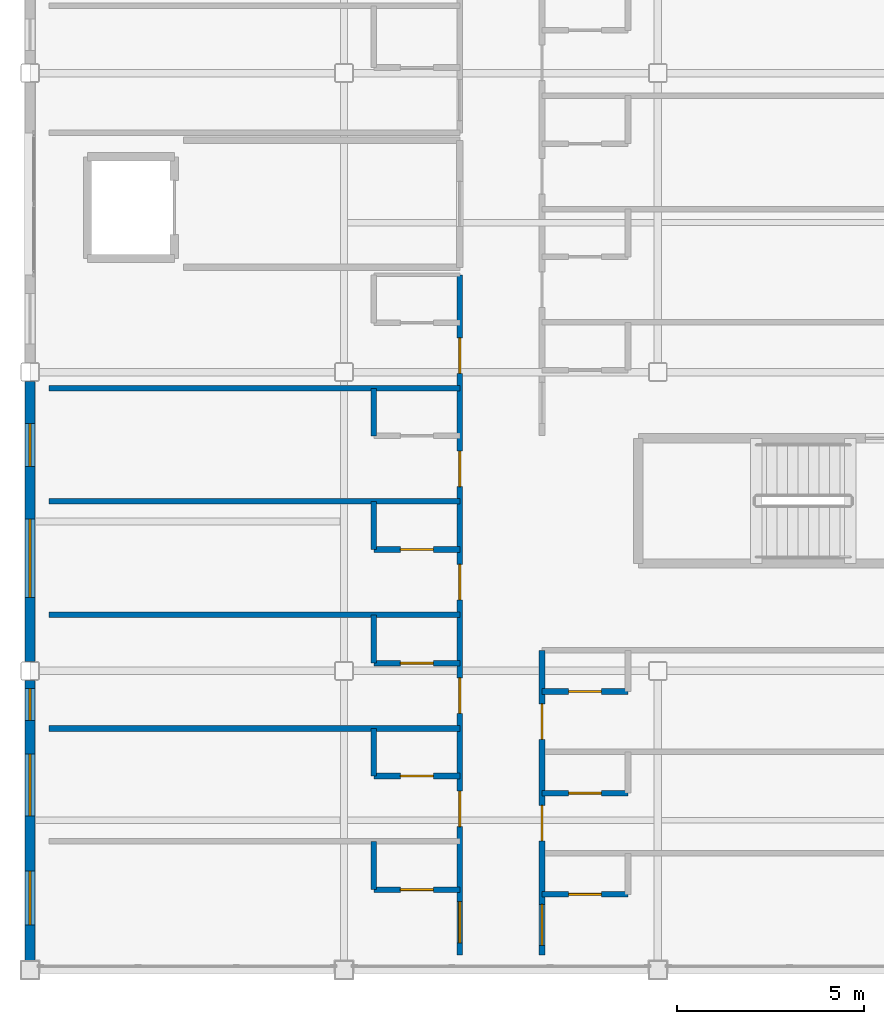
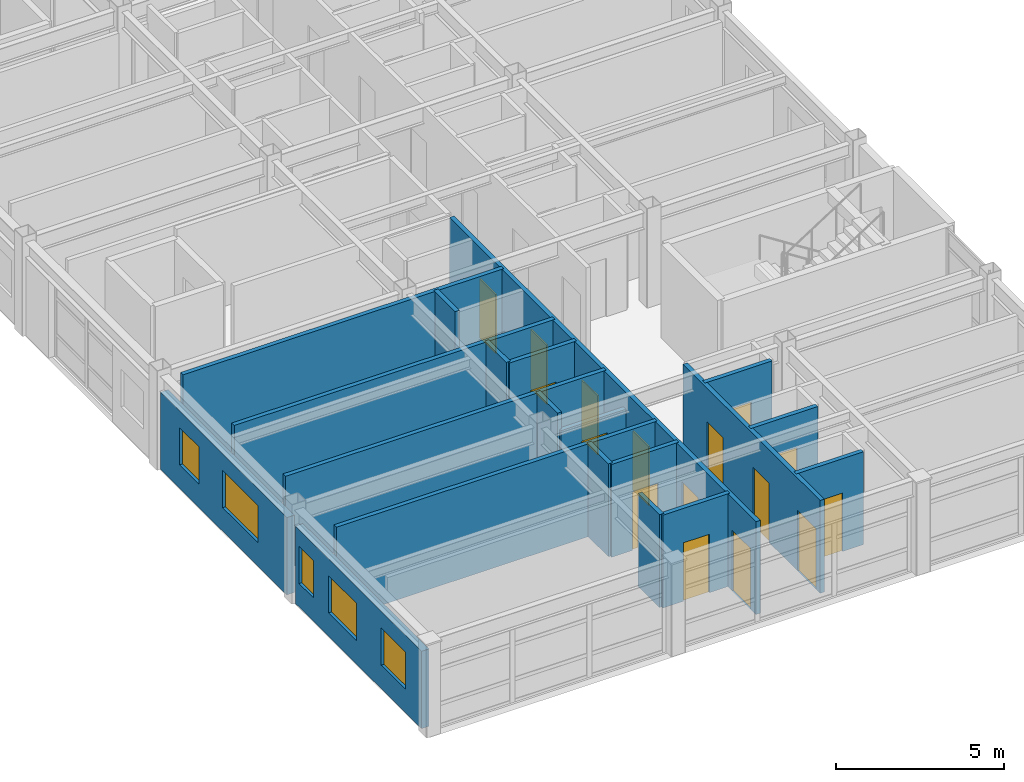
# One storey, part 23 of 33: 20 walls, 16 doors, 5 windows, 21 openings.
"""IFC4 building model written with IfcOpenShell, lengths in metres."""

from ifc_helpers import new_model, si_unit, direction, frame, frame_2d, origin, place, context, subcontext, project, spatial, rectangle, extrude, material, layer, layer_set, type_object, element, fill, save


model = new_model("IFC4")

# Units and contexts
model_context = context("Model", 3, precision=1e-05, world=origin(), true_north=direction((0.0, 1.0)))
body_context = subcontext(model_context, "Body", "Model", "MODEL_VIEW")
ifc_project = project(units=[si_unit("LENGTHUNIT", "METRE"), si_unit("AREAUNIT", "SQUARE_METRE"), si_unit("VOLUMEUNIT", "CUBIC_METRE"), si_unit("PLANEANGLEUNIT", "RADIAN"), si_unit("MASSUNIT", "GRAM", prefix="KILO")], contexts=[model_context])

# Site, building, storey
site_placement = place(None, origin())
site = spatial("IfcSite", under=ifc_project, at=site_placement, CompositionType="ELEMENT")
building_placement = place(site_placement, origin())
building = spatial("IfcBuilding", under=site, at=building_placement, Name="Kazehara Bluff Congress Hotel", CompositionType="ELEMENT")
storey_placement = place(building_placement, frame((0.0, 0.0, 39.0)))
storey = spatial("IfcBuildingStorey", under=building, at=storey_placement, Name="L09", CompositionType="ELEMENT", Elevation=39.0)

# Wall, openings, windows
ifc_material_1 = material(Name="Precast concrete C40/50", Category="concrete")
ifc_layer_1 = layer(ifc_material_1, 0.260009765625)
ifc_layer_set_1 = layer_set([ifc_layer_1], Name="Precast concrete C40/50")
wall_type_1 = type_object("IfcWallType", Name="TP-EW-260", PredefinedType="SOLIDWALL", material=ifc_layer_set_1)
wall_1_placement = place(storey_placement, frame((143.699951171875, 8.25, 0.0), z_axis=(0.0, 0.0, 1.0), x_axis=(0.0, 1.0, 0.0)))
wall_1 = element("IfcWall", 1, at=wall_1_placement, inside=storey, type_object=wall_type_1, Name="L09 hotel facade panel 140", PredefinedType="SOLIDWALL", context=body_context, shape_type="SweptSolid", body=[
    extrude(rectangle(XDim=7.5, YDim=0.260009765625, at=frame_2d((3.75, 0.0))), origin(), (0.0, 0.0, 1.0), 2.804931640625),
])
opening_1_placement = place(wall_1_placement, frame((0.945068359375, 0.0, 0.85009765625)))
opening_1 = element("IfcOpeningElement", 2, at=opening_1_placement, cuts=wall_1, Name="Opening WN-16", PredefinedType="OPENING", context=body_context, shape_type="SweptSolid", body=[
    extrude(rectangle(XDim=1.449951171875, YDim=1.35009765625, at=frame_2d((0.72509765625, 0.675048828125))), frame((0.0, 0.139892578125, 0.0), z_axis=(0.0, -1.0, 0.0), x_axis=(1.0, 0.0, 0.0)), (0.0, 0.0, 1.0), 0.280029296875),
])
opening_2_placement = place(wall_1_placement, frame((3.875, 0.0, 0.85009765625)))
opening_2 = element("IfcOpeningElement", 3, at=opening_2_placement, cuts=wall_1, Name="Opening WN-26", PredefinedType="OPENING", context=body_context, shape_type="SweptSolid", body=[
    extrude(rectangle(XDim=1.64990234375, YDim=1.35009765625, at=frame_2d((0.824951171875, 0.675048828125))), frame((0.0, 0.139892578125, 0.0), z_axis=(0.0, -1.0, 0.0), x_axis=(1.0, 0.0, 0.0)), (0.0, 0.0, 1.0), 0.280029296875),
])
opening_3_placement = place(wall_1_placement, frame((6.429931640625, 0.0, 0.85009765625)))
opening_3 = element("IfcOpeningElement", 4, at=opening_3_placement, cuts=wall_1, Name="Opening WN-55", PredefinedType="OPENING", context=body_context, shape_type="SweptSolid", body=[
    extrude(rectangle(XDim=0.85009765625, YDim=1.35009765625, at=frame_2d((0.425048828125, 0.675048828125))), frame((0.0, 0.139892578125, 0.0), z_axis=(0.0, -1.0, 0.0), x_axis=(1.0, 0.0, 0.0)), (0.0, 0.0, 1.0), 0.280029296875),
])
ifc_material_2 = material(Name="Insulated low-E double glazing", Category="glass")
window_type_1 = type_object("IfcWindowType", Name="TP-WN-16", PartitioningType="SINGLE_PANEL", PredefinedType="WINDOW", material=ifc_material_2)
window_1_placement = place(opening_1_placement, origin())
window_1 = element("IfcWindow", 5, at=window_1_placement, inside=storey, type_object=window_type_1, Name="L09 guestroom window WN-16 274", OverallHeight=1.35009765625, OverallWidth=1.449951171875, PartitioningType="SINGLE_PANEL", PredefinedType="WINDOW", context=body_context, shape_type="SweptSolid", body=[
    extrude(rectangle(XDim=1.449951171875, YDim=1.35009765625, at=frame_2d((0.72509765625, 0.675048828125))), frame((0.0, 0.030029296875, 0.0), z_axis=(0.0, -1.0, 0.0), x_axis=(1.0, 0.0, 0.0)), (0.0, 0.0, 1.0), 0.06005859375),
])
fill(opening_1, window_1)
ifc_material_3 = material(Name="Insulated low-E double glazing", Category="glass")
window_type_2 = type_object("IfcWindowType", Name="TP-WN-26", PartitioningType="SINGLE_PANEL", PredefinedType="WINDOW", material=ifc_material_3)
window_2_placement = place(opening_2_placement, origin())
window_2 = element("IfcWindow", 6, at=window_2_placement, inside=storey, type_object=window_type_2, Name="L09 guestroom window WN-26 275", OverallHeight=1.35009765625, OverallWidth=1.64990234375, PartitioningType="SINGLE_PANEL", PredefinedType="WINDOW", context=body_context, shape_type="SweptSolid", body=[
    extrude(rectangle(XDim=1.64990234375, YDim=1.35009765625, at=frame_2d((0.824951171875, 0.675048828125))), frame((0.0, 0.030029296875, 0.0), z_axis=(0.0, -1.0, 0.0), x_axis=(1.0, 0.0, 0.0)), (0.0, 0.0, 1.0), 0.06005859375),
])
fill(opening_2, window_2)
ifc_material_4 = material(Name="Insulated low-E double glazing", Category="glass")
window_type_3 = type_object("IfcWindowType", Name="TP-WN-55", PartitioningType="SINGLE_PANEL", PredefinedType="WINDOW", material=ifc_material_4)
window_3_placement = place(opening_3_placement, origin())
window_3 = element("IfcWindow", 7, at=window_3_placement, inside=storey, type_object=window_type_3, Name="L09 guestroom window WN-55 276", OverallHeight=1.35009765625, OverallWidth=0.85009765625, PartitioningType="SINGLE_PANEL", PredefinedType="WINDOW", context=body_context, shape_type="SweptSolid", body=[
    extrude(rectangle(XDim=0.85009765625, YDim=1.35009765625, at=frame_2d((0.425048828125, 0.675048828125))), frame((0.0, 0.030029296875, 0.0), z_axis=(0.0, -1.0, 0.0), x_axis=(1.0, 0.0, 0.0)), (0.0, 0.0, 1.0), 0.06005859375),
])
fill(opening_3, window_3)

wall_2_placement = place(storey_placement, frame((143.699951171875, 16.25, 0.0), z_axis=(0.0, 0.0, 1.0), x_axis=(0.0, 1.0, 0.0)))
wall_2 = element("IfcWall", 8, at=wall_2_placement, inside=storey, type_object=wall_type_1, Name="L09 hotel facade panel 141", PredefinedType="SOLIDWALL", context=body_context, shape_type="SweptSolid", body=[
    extrude(rectangle(XDim=7.5, YDim=0.260009765625, at=frame_2d((3.75, 0.0))), origin(), (0.0, 0.0, 1.0), 2.804931640625),
])
opening_4_placement = place(wall_2_placement, frame((1.715087890625, 0.0, 0.85009765625)))
opening_4 = element("IfcOpeningElement", 9, at=opening_4_placement, cuts=wall_2, Name="Opening WN-46", PredefinedType="OPENING", context=body_context, shape_type="SweptSolid", body=[
    extrude(rectangle(XDim=2.10009765625, YDim=1.35009765625, at=frame_2d((1.050048828125, 0.675048828125))), frame((0.0, 0.139892578125, 0.0), z_axis=(0.0, -1.0, 0.0), x_axis=(1.0, 0.0, 0.0)), (0.0, 0.0, 1.0), 0.280029296875),
])
opening_5_placement = place(wall_2_placement, frame((5.22509765625, 0.0, 0.85009765625)))
opening_5 = element("IfcOpeningElement", 10, at=opening_5_placement, cuts=wall_2, Name="Opening WN-01", PredefinedType="OPENING", context=body_context, shape_type="SweptSolid", body=[
    extrude(rectangle(XDim=1.14990234375, YDim=1.35009765625, at=frame_2d((0.574951171875, 0.675048828125))), frame((0.0, 0.139892578125, 0.0), z_axis=(0.0, -1.0, 0.0), x_axis=(1.0, 0.0, 0.0)), (0.0, 0.0, 1.0), 0.280029296875),
])
ifc_material_5 = material(Name="Insulated low-E double glazing", Category="glass")
window_type_4 = type_object("IfcWindowType", Name="TP-WN-01", PartitioningType="SINGLE_PANEL", PredefinedType="WINDOW", material=ifc_material_5)
window_4_placement = place(opening_5_placement, origin())
window_4 = element("IfcWindow", 11, at=window_4_placement, inside=storey, type_object=window_type_4, Name="L09 guestroom window WN-01 278", OverallHeight=1.35009765625, OverallWidth=1.14990234375, PartitioningType="SINGLE_PANEL", PredefinedType="WINDOW", context=body_context, shape_type="SweptSolid", body=[
    extrude(rectangle(XDim=1.14990234375, YDim=1.35009765625, at=frame_2d((0.574951171875, 0.675048828125))), frame((0.0, 0.030029296875, 0.0), z_axis=(0.0, -1.0, 0.0), x_axis=(1.0, 0.0, 0.0)), (0.0, 0.0, 1.0), 0.06005859375),
])
fill(opening_5, window_4)
ifc_material_6 = material(Name="Insulated low-E double glazing", Category="glass")
window_type_5 = type_object("IfcWindowType", Name="TP-WN-46", PartitioningType="DOUBLE_PANEL_VERTICAL", PredefinedType="WINDOW", material=ifc_material_6)
window_5_placement = place(opening_4_placement, origin())
window_5 = element("IfcWindow", 12, at=window_5_placement, inside=storey, type_object=window_type_5, Name="L09 guestroom window WN-46 277", OverallHeight=1.35009765625, OverallWidth=2.10009765625, PartitioningType="SINGLE_PANEL", PredefinedType="WINDOW", context=body_context, shape_type="SweptSolid", body=[
    extrude(rectangle(XDim=2.10009765625, YDim=1.35009765625, at=frame_2d((1.050048828125, 0.675048828125))), frame((0.0, 0.030029296875, 0.0), z_axis=(0.0, -1.0, 0.0), x_axis=(1.0, 0.0, 0.0)), (0.0, 0.0, 1.0), 0.06005859375),
])
fill(opening_4, window_5)

# Wall, opening, door
ifc_material_7 = material(Name="Fire-rated gypsum board stud partition")
ifc_layer_2 = layer(ifc_material_7, 0.14990234375)
ifc_layer_set_2 = layer_set([ifc_layer_2], Name="Fire-rated gypsum board stud partition")
wall_type_2 = type_object("IfcWallType", Name="TP-PT-150", PredefinedType="PARTITIONING", material=ifc_layer_set_2)
wall_3_placement = place(storey_placement, frame((157.39990234375, 10.02001953125, 0.0), z_axis=(0.0, 0.0, 1.0), x_axis=(1.0, 0.0, 0.0)))
wall_3 = element("IfcWall", 13, at=wall_3_placement, inside=storey, type_object=wall_type_2, Name="L09 partition PT-150 1166", PredefinedType="PARTITIONING", context=body_context, shape_type="SweptSolid", body=[
    extrude(rectangle(XDim=2.300048828125, YDim=0.14990234375, at=frame_2d((1.14990234375, 0.0))), origin(), (0.0, 0.0, 1.0), 3.364990234375),
])
opening_6_placement = place(wall_3_placement, frame((0.7099609375, 0.0, 0.0)))
opening_6 = element("IfcOpeningElement", 14, at=opening_6_placement, cuts=wall_3, Name="Opening BD-02", PredefinedType="OPENING", context=body_context, shape_type="SweptSolid", body=[
    extrude(rectangle(XDim=0.8798828125, YDim=2.1201171875, at=frame_2d((0.43994140625, 1.06005859375))), frame((0.0, 0.0849609375, 0.0), z_axis=(0.0, -1.0, 0.0), x_axis=(1.0, 0.0, 0.0)), (0.0, 0.0, 1.0), 0.169921875),
])
ifc_material_8 = material(Name="Architectural oak veneer leaf")
door_type_1 = type_object("IfcDoorType", Name="TP-BD-02", OperationType="NOTDEFINED", PredefinedType="DOOR", material=ifc_material_8)
door_1_placement = place(opening_6_placement, origin())
door_1 = element("IfcDoor", 15, at=door_1_placement, inside=storey, type_object=door_type_1, Name="L09 En-suite Bathroom 274 door", OperationType="SINGLE_SWING_RIGHT", OverallHeight=2.1201171875, OverallWidth=0.8798828125, PredefinedType="DOOR", context=body_context, shape_type="SweptSolid", body=[
    extrude(rectangle(XDim=0.8798828125, YDim=2.1201171875, at=frame_2d((0.43994140625, 1.06005859375))), frame((0.0, 0.02490234375, 0.0), z_axis=(0.0, -1.0, 0.0), x_axis=(1.0, 0.0, 0.0)), (0.0, 0.0, 1.0), 0.050048828125),
])
fill(opening_6, door_1)

wall_4_placement = place(storey_placement, frame((152.89990234375, 10.14990234375, 0.0), z_axis=(0.0, 0.0, 1.0), x_axis=(1.0, 0.0, 0.0)))
wall_4 = element("IfcWall", 16, at=wall_4_placement, inside=storey, type_object=wall_type_2, Name="L09 partition PT-150 1167", PredefinedType="PARTITIONING", context=body_context, shape_type="SweptSolid", body=[
    extrude(rectangle(XDim=2.300048828125, YDim=0.14990234375, at=frame_2d((1.14990234375, 0.0))), origin(), (0.0, 0.0, 1.0), 3.364990234375),
])
opening_7_placement = place(wall_4_placement, frame((0.7099609375, 0.0, 0.0)))
opening_7 = element("IfcOpeningElement", 17, at=opening_7_placement, cuts=wall_4, Name="Opening BD-02", PredefinedType="OPENING", context=body_context, shape_type="SweptSolid", body=[
    extrude(rectangle(XDim=0.8798828125, YDim=2.1201171875, at=frame_2d((0.43994140625, 1.06005859375))), frame((0.0, 0.0849609375, 0.0), z_axis=(0.0, -1.0, 0.0), x_axis=(1.0, 0.0, 0.0)), (0.0, 0.0, 1.0), 0.169921875),
])
door_2_placement = place(opening_7_placement, origin())
door_2 = element("IfcDoor", 18, at=door_2_placement, inside=storey, type_object=door_type_1, Name="L09 En-suite Bathroom 253 door", OperationType="SINGLE_SWING_RIGHT", OverallHeight=2.1201171875, OverallWidth=0.8798828125, PredefinedType="DOOR", context=body_context, shape_type="SweptSolid", body=[
    extrude(rectangle(XDim=0.8798828125, YDim=2.1201171875, at=frame_2d((0.43994140625, 1.06005859375))), frame((0.0, 0.02490234375, 0.0), z_axis=(0.0, -1.0, 0.0), x_axis=(1.0, 0.0, 0.0)), (0.0, 0.0, 1.0), 0.050048828125),
])
fill(opening_7, door_2)

wall_5_placement = place(storey_placement, frame((157.39990234375, 12.72998046875, 0.0), z_axis=(0.0, 0.0, 1.0), x_axis=(1.0, 0.0, 0.0)))
wall_5 = element("IfcWall", 19, at=wall_5_placement, inside=storey, type_object=wall_type_2, Name="L09 partition PT-150 1170", PredefinedType="PARTITIONING", context=body_context, shape_type="SweptSolid", body=[
    extrude(rectangle(XDim=2.300048828125, YDim=0.14990234375, at=frame_2d((1.14990234375, 0.0))), origin(), (0.0, 0.0, 1.0), 3.364990234375),
])
opening_8_placement = place(wall_5_placement, frame((0.7099609375, 0.0, 0.0)))
opening_8 = element("IfcOpeningElement", 20, at=opening_8_placement, cuts=wall_5, Name="Opening BD-02", PredefinedType="OPENING", context=body_context, shape_type="SweptSolid", body=[
    extrude(rectangle(XDim=0.8798828125, YDim=2.1201171875, at=frame_2d((0.43994140625, 1.06005859375))), frame((0.0, 0.0849609375, 0.0), z_axis=(0.0, -1.0, 0.0), x_axis=(1.0, 0.0, 0.0)), (0.0, 0.0, 1.0), 0.169921875),
])
door_3_placement = place(opening_8_placement, origin())
door_3 = element("IfcDoor", 21, at=door_3_placement, inside=storey, type_object=door_type_1, Name="L09 En-suite Bathroom 275 door", OperationType="SINGLE_SWING_RIGHT", OverallHeight=2.1201171875, OverallWidth=0.8798828125, PredefinedType="DOOR", context=body_context, shape_type="SweptSolid", body=[
    extrude(rectangle(XDim=0.8798828125, YDim=2.1201171875, at=frame_2d((0.43994140625, 1.06005859375))), frame((0.0, 0.02490234375, 0.0), z_axis=(0.0, -1.0, 0.0), x_axis=(1.0, 0.0, 0.0)), (0.0, 0.0, 1.0), 0.050048828125),
])
fill(opening_8, door_3)

wall_6_placement = place(storey_placement, frame((152.89990234375, 13.18994140625, 0.0), z_axis=(0.0, 0.0, 1.0), x_axis=(1.0, 0.0, 0.0)))
wall_6 = element("IfcWall", 22, at=wall_6_placement, inside=storey, type_object=wall_type_2, Name="L09 partition PT-150 1171", PredefinedType="PARTITIONING", context=body_context, shape_type="SweptSolid", body=[
    extrude(rectangle(XDim=2.300048828125, YDim=0.14990234375, at=frame_2d((1.14990234375, 0.0))), origin(), (0.0, 0.0, 1.0), 3.364990234375),
])
opening_9_placement = place(wall_6_placement, frame((0.7099609375, 0.0, 0.0)))
opening_9 = element("IfcOpeningElement", 23, at=opening_9_placement, cuts=wall_6, Name="Opening BD-02", PredefinedType="OPENING", context=body_context, shape_type="SweptSolid", body=[
    extrude(rectangle(XDim=0.8798828125, YDim=2.1201171875, at=frame_2d((0.43994140625, 1.06005859375))), frame((0.0, 0.0849609375, 0.0), z_axis=(0.0, -1.0, 0.0), x_axis=(1.0, 0.0, 0.0)), (0.0, 0.0, 1.0), 0.169921875),
])
door_4_placement = place(opening_9_placement, origin())
door_4 = element("IfcDoor", 24, at=door_4_placement, inside=storey, type_object=door_type_1, Name="L09 En-suite Bathroom 254 door", OperationType="SINGLE_SWING_RIGHT", OverallHeight=2.1201171875, OverallWidth=0.8798828125, PredefinedType="DOOR", context=body_context, shape_type="SweptSolid", body=[
    extrude(rectangle(XDim=0.8798828125, YDim=2.1201171875, at=frame_2d((0.43994140625, 1.06005859375))), frame((0.0, 0.02490234375, 0.0), z_axis=(0.0, -1.0, 0.0), x_axis=(1.0, 0.0, 0.0)), (0.0, 0.0, 1.0), 0.050048828125),
])
fill(opening_9, door_4)

# Wall
wall_7_placement = place(storey_placement, frame((144.199951171875, 14.4599609375, 0.0), z_axis=(0.0, 0.0, 1.0), x_axis=(1.0, 0.0, 0.0)))
element("IfcWall", 25, at=wall_7_placement, inside=storey, type_object=wall_type_2, Name="L09 partition PT-150 1173", PredefinedType="PARTITIONING", context=body_context, shape_type="SweptSolid", body=[
    extrude(rectangle(XDim=11.0, YDim=0.14990234375, at=frame_2d((5.5, 0.0))), origin(), (0.0, 0.0, 1.0), 3.364990234375),
])

# Wall, opening, door
wall_8_placement = place(storey_placement, frame((157.39990234375, 15.449951171875, 0.0), z_axis=(0.0, 0.0, 1.0), x_axis=(1.0, 0.0, 0.0)))
wall_8 = element("IfcWall", 26, at=wall_8_placement, inside=storey, type_object=wall_type_2, Name="L09 partition PT-150 1174", PredefinedType="PARTITIONING", context=body_context, shape_type="SweptSolid", body=[
    extrude(rectangle(XDim=2.300048828125, YDim=0.14990234375, at=frame_2d((1.14990234375, 0.0))), origin(), (0.0, 0.0, 1.0), 3.364990234375),
])
opening_10_placement = place(wall_8_placement, frame((0.7099609375, 0.0, 0.0)))
opening_10 = element("IfcOpeningElement", 27, at=opening_10_placement, cuts=wall_8, Name="Opening BD-02", PredefinedType="OPENING", context=body_context, shape_type="SweptSolid", body=[
    extrude(rectangle(XDim=0.8798828125, YDim=2.1201171875, at=frame_2d((0.43994140625, 1.06005859375))), frame((0.0, 0.0849609375, 0.0), z_axis=(0.0, -1.0, 0.0), x_axis=(1.0, 0.0, 0.0)), (0.0, 0.0, 1.0), 0.169921875),
])
door_5_placement = place(opening_10_placement, origin())
door_5 = element("IfcDoor", 28, at=door_5_placement, inside=storey, type_object=door_type_1, Name="L09 En-suite Bathroom 276 door", OperationType="SINGLE_SWING_RIGHT", OverallHeight=2.1201171875, OverallWidth=0.8798828125, PredefinedType="DOOR", context=body_context, shape_type="SweptSolid", body=[
    extrude(rectangle(XDim=0.8798828125, YDim=2.1201171875, at=frame_2d((0.43994140625, 1.06005859375))), frame((0.0, 0.02490234375, 0.0), z_axis=(0.0, -1.0, 0.0), x_axis=(1.0, 0.0, 0.0)), (0.0, 0.0, 1.0), 0.050048828125),
])
fill(opening_10, door_5)

wall_9_placement = place(storey_placement, frame((152.89990234375, 16.2099609375, 0.0), z_axis=(0.0, 0.0, 1.0), x_axis=(1.0, 0.0, 0.0)))
wall_9 = element("IfcWall", 29, at=wall_9_placement, inside=storey, type_object=wall_type_2, Name="L09 partition PT-150 1175", PredefinedType="PARTITIONING", context=body_context, shape_type="SweptSolid", body=[
    extrude(rectangle(XDim=2.300048828125, YDim=0.14990234375, at=frame_2d((1.14990234375, 0.0))), origin(), (0.0, 0.0, 1.0), 2.7548828125),
])
opening_11_placement = place(wall_9_placement, frame((0.7099609375, 0.0, 0.0)))
opening_11 = element("IfcOpeningElement", 30, at=opening_11_placement, cuts=wall_9, Name="Opening BD-02", PredefinedType="OPENING", context=body_context, shape_type="SweptSolid", body=[
    extrude(rectangle(XDim=0.8798828125, YDim=2.1201171875, at=frame_2d((0.43994140625, 1.06005859375))), frame((0.0, 0.0849609375, 0.0), z_axis=(0.0, -1.0, 0.0), x_axis=(1.0, 0.0, 0.0)), (0.0, 0.0, 1.0), 0.169921875),
])
door_6_placement = place(opening_11_placement, origin())
door_6 = element("IfcDoor", 31, at=door_6_placement, inside=storey, type_object=door_type_1, Name="L09 En-suite Bathroom 255 door", OperationType="SINGLE_SWING_RIGHT", OverallHeight=2.1201171875, OverallWidth=0.8798828125, PredefinedType="DOOR", context=body_context, shape_type="SweptSolid", body=[
    extrude(rectangle(XDim=0.8798828125, YDim=2.1201171875, at=frame_2d((0.43994140625, 1.06005859375))), frame((0.0, 0.02490234375, 0.0), z_axis=(0.0, -1.0, 0.0), x_axis=(1.0, 0.0, 0.0)), (0.0, 0.0, 1.0), 0.050048828125),
])
fill(opening_11, door_6)

# Wall
wall_10_placement = place(storey_placement, frame((144.199951171875, 17.5, 0.0), z_axis=(0.0, 0.0, 1.0), x_axis=(1.0, 0.0, 0.0)))
element("IfcWall", 32, at=wall_10_placement, inside=storey, type_object=wall_type_2, Name="L09 partition PT-150 1177", PredefinedType="PARTITIONING", context=body_context, shape_type="SweptSolid", body=[
    extrude(rectangle(XDim=11.0, YDim=0.14990234375, at=frame_2d((5.5, 0.0))), origin(), (0.0, 0.0, 1.0), 3.364990234375),
])

# Wall, opening, door
wall_11_placement = place(storey_placement, frame((152.89990234375, 19.25, 0.0), z_axis=(0.0, 0.0, 1.0), x_axis=(1.0, 0.0, 0.0)))
wall_11 = element("IfcWall", 33, at=wall_11_placement, inside=storey, type_object=wall_type_2, Name="L09 partition PT-150 1178", PredefinedType="PARTITIONING", context=body_context, shape_type="SweptSolid", body=[
    extrude(rectangle(XDim=2.300048828125, YDim=0.14990234375, at=frame_2d((1.14990234375, 0.0))), origin(), (0.0, 0.0, 1.0), 3.364990234375),
])
opening_12_placement = place(wall_11_placement, frame((0.7099609375, 0.0, 0.0)))
opening_12 = element("IfcOpeningElement", 34, at=opening_12_placement, cuts=wall_11, Name="Opening BD-02", PredefinedType="OPENING", context=body_context, shape_type="SweptSolid", body=[
    extrude(rectangle(XDim=0.8798828125, YDim=2.1201171875, at=frame_2d((0.43994140625, 1.06005859375))), frame((0.0, 0.0849609375, 0.0), z_axis=(0.0, -1.0, 0.0), x_axis=(1.0, 0.0, 0.0)), (0.0, 0.0, 1.0), 0.169921875),
])
door_7_placement = place(opening_12_placement, origin())
door_7 = element("IfcDoor", 35, at=door_7_placement, inside=storey, type_object=door_type_1, Name="L09 En-suite Bathroom 256 door", OperationType="SINGLE_SWING_RIGHT", OverallHeight=2.1201171875, OverallWidth=0.8798828125, PredefinedType="DOOR", context=body_context, shape_type="SweptSolid", body=[
    extrude(rectangle(XDim=0.8798828125, YDim=2.1201171875, at=frame_2d((0.43994140625, 1.06005859375))), frame((0.0, 0.02490234375, 0.0), z_axis=(0.0, -1.0, 0.0), x_axis=(1.0, 0.0, 0.0)), (0.0, 0.0, 1.0), 0.050048828125),
])
fill(opening_12, door_7)

# Walls
for number, where, z_axis, x_axis, name in (
    (36, (144.199951171875, 20.5400390625, 0.0), (0.0, 0.0, 1.0), (1.0, 0.0, 0.0), "L09 partition PT-150 1179"),
    (37, (144.199951171875, 23.570068359375, 0.0), (0.0, 0.0, 1.0), (1.0, 0.0, 0.0), "L09 partition PT-150 1181"),
):
    element("IfcWall", number, at=place(storey_placement, frame(where, z_axis=z_axis, x_axis=x_axis)), inside=storey, type_object=wall_type_2, Name=name, PredefinedType="PARTITIONING", context=body_context, shape_type="SweptSolid", body=[
        extrude(rectangle(XDim=11.0, YDim=0.14990234375, at=frame_2d((5.5, 0.0))), origin(), (0.0, 0.0, 1.0), 3.364990234375),
    ])
wall_12_placement = place(storey_placement, frame((152.89990234375, 10.14990234375, 0.0), z_axis=(0.0, 0.0, 1.0), x_axis=(0.0, 1.0, 0.0)))
element("IfcWall", 38, at=wall_12_placement, inside=storey, type_object=wall_type_2, Name="L09 partition PT-150 1263", PredefinedType="PARTITIONING", context=body_context, shape_type="SweptSolid", body=[
    extrude(rectangle(XDim=1.28515625, YDim=0.14990234375, at=frame_2d((0.642578125, 0.0))), origin(), (0.0, 0.0, 1.0), 3.364990234375),
])
wall_13_placement = place(storey_placement, frame((152.89990234375, 13.18505859375, 0.0), z_axis=(0.0, 0.0, 1.0), x_axis=(0.0, 1.0, 0.0)))
element("IfcWall", 39, at=wall_13_placement, inside=storey, type_object=wall_type_2, Name="L09 partition PT-150 1264", PredefinedType="PARTITIONING", context=body_context, shape_type="SweptSolid", body=[
    extrude(rectangle(XDim=1.280029296875, YDim=0.14990234375, at=frame_2d((0.64013671875, 0.0))), origin(), (0.0, 0.0, 1.0), 3.364990234375),
])
for number, where, z_axis, x_axis, name in (
    (40, (152.89990234375, 16.215087890625, 0.0), (0.0, 0.0, 1.0), (0.0, 1.0, 0.0), "L09 partition PT-150 1265"),
    (41, (152.89990234375, 19.25, 0.0), (0.0, 0.0, 1.0), (0.0, 1.0, 0.0), "L09 partition PT-150 1266"),
):
    element("IfcWall", number, at=place(storey_placement, frame(where, z_axis=z_axis, x_axis=x_axis)), inside=storey, type_object=wall_type_2, Name=name, PredefinedType="PARTITIONING", context=body_context, shape_type="SweptSolid", body=[
        extrude(rectangle(XDim=1.284912109375, YDim=0.14990234375, at=frame_2d((0.642578125, 0.0))), origin(), (0.0, 0.0, 1.0), 3.364990234375),
    ])
wall_14_placement = place(storey_placement, frame((152.89990234375, 22.284912109375, 0.0), z_axis=(0.0, 0.0, 1.0), x_axis=(0.0, 1.0, 0.0)))
element("IfcWall", 42, at=wall_14_placement, inside=storey, type_object=wall_type_2, Name="L09 partition PT-150 1267", PredefinedType="PARTITIONING", context=body_context, shape_type="SweptSolid", body=[
    extrude(rectangle(XDim=1.280029296875, YDim=0.14990234375, at=frame_2d((0.64013671875, 0.0))), origin(), (0.0, 0.0, 1.0), 3.364990234375),
])

# Wall, openings, doors
wall_15_placement = place(storey_placement, frame((155.199951171875, 8.39990234375, 0.0), z_axis=(0.0, 0.0, 1.0), x_axis=(0.0, 1.0, 0.0)))
wall_15 = element("IfcWall", 43, at=wall_15_placement, inside=storey, type_object=wall_type_2, Name="L09 partition PT-150 1284", PredefinedType="PARTITIONING", context=body_context, shape_type="SweptSolid", body=[
    extrude(rectangle(XDim=18.2001953125, YDim=0.14990234375, at=frame_2d((9.10009765625, 0.0))), origin(), (0.0, 0.0, 1.0), 3.364990234375),
])
opening_13_placement = place(wall_15_placement, frame((0.324951171875, 0.0, 0.0)))
opening_13 = element("IfcOpeningElement", 44, at=opening_13_placement, cuts=wall_15, Name="Opening GD-02", PredefinedType="OPENING", context=body_context, shape_type="SweptSolid", body=[
    extrude(rectangle(XDim=1.10009765625, YDim=2.199951171875, at=frame_2d((0.550048828125, 1.10009765625))), frame((0.0, 0.0849609375, 0.0), z_axis=(0.0, -1.0, 0.0), x_axis=(1.0, 0.0, 0.0)), (0.0, 0.0, 1.0), 0.169921875),
])
opening_14_placement = place(wall_15_placement, frame((3.43505859375, 0.0, 0.0)))
opening_14 = element("IfcOpeningElement", 45, at=opening_14_placement, cuts=wall_15, Name="Opening GD-01", PredefinedType="OPENING", context=body_context, shape_type="SweptSolid", body=[
    extrude(rectangle(XDim=0.949951171875, YDim=2.14990234375, at=frame_2d((0.47509765625, 1.074951171875))), frame((0.0, 0.0849609375, 0.0), z_axis=(0.0, -1.0, 0.0), x_axis=(1.0, 0.0, 0.0)), (0.0, 0.0, 1.0), 0.169921875),
])
opening_15_placement = place(wall_15_placement, frame((6.465087890625, 0.0, 0.0)))
opening_15 = element("IfcOpeningElement", 46, at=opening_15_placement, cuts=wall_15, Name="Opening GD-01", PredefinedType="OPENING", context=body_context, shape_type="SweptSolid", body=[
    extrude(rectangle(XDim=0.949951171875, YDim=2.14990234375, at=frame_2d((0.47509765625, 1.074951171875))), frame((0.0, 0.0849609375, 0.0), z_axis=(0.0, -1.0, 0.0), x_axis=(1.0, 0.0, 0.0)), (0.0, 0.0, 1.0), 0.169921875),
])
opening_16_placement = place(wall_15_placement, frame((9.5, 0.0, 0.0)))
opening_16 = element("IfcOpeningElement", 47, at=opening_16_placement, cuts=wall_15, Name="Opening GD-01", PredefinedType="OPENING", context=body_context, shape_type="SweptSolid", body=[
    extrude(rectangle(XDim=0.949951171875, YDim=2.14990234375, at=frame_2d((0.47509765625, 1.074951171875))), frame((0.0, 0.0849609375, 0.0), z_axis=(0.0, -1.0, 0.0), x_axis=(1.0, 0.0, 0.0)), (0.0, 0.0, 1.0), 0.169921875),
])
opening_17_placement = place(wall_15_placement, frame((12.534912109375, 0.0, 0.0)))
opening_17 = element("IfcOpeningElement", 48, at=opening_17_placement, cuts=wall_15, Name="Opening GD-01", PredefinedType="OPENING", context=body_context, shape_type="SweptSolid", body=[
    extrude(rectangle(XDim=0.949951171875, YDim=2.14990234375, at=frame_2d((0.47509765625, 1.074951171875))), frame((0.0, 0.0849609375, 0.0), z_axis=(0.0, -1.0, 0.0), x_axis=(1.0, 0.0, 0.0)), (0.0, 0.0, 1.0), 0.169921875),
])
opening_18_placement = place(wall_15_placement, frame((15.56494140625, 0.0, 0.0)))
opening_18 = element("IfcOpeningElement", 49, at=opening_18_placement, cuts=wall_15, Name="Opening GD-01", PredefinedType="OPENING", context=body_context, shape_type="SweptSolid", body=[
    extrude(rectangle(XDim=0.949951171875, YDim=2.14990234375, at=frame_2d((0.47509765625, 1.074951171875))), frame((0.0, 0.0849609375, 0.0), z_axis=(0.0, -1.0, 0.0), x_axis=(1.0, 0.0, 0.0)), (0.0, 0.0, 1.0), 0.169921875),
])
ifc_material_9 = material(Name="Architectural oak veneer leaf")
door_type_2 = type_object("IfcDoorType", Name="TP-GD-01", OperationType="NOTDEFINED", PredefinedType="DOOR", material=ifc_material_9)
door_8_placement = place(opening_14_placement, origin())
door_8 = element("IfcDoor", 50, at=door_8_placement, inside=storey, type_object=door_type_2, Name="L09 Deluxe Twin Guest Room 254 door", OperationType="SINGLE_SWING_LEFT", OverallHeight=2.14990234375, OverallWidth=0.949951171875, PredefinedType="DOOR", context=body_context, shape_type="SweptSolid", body=[
    extrude(rectangle(XDim=0.949951171875, YDim=2.14990234375, at=frame_2d((0.47509765625, 1.074951171875))), frame((0.0, 0.02490234375, 0.0), z_axis=(0.0, -1.0, 0.0), x_axis=(1.0, 0.0, 0.0)), (0.0, 0.0, 1.0), 0.050048828125),
])
fill(opening_14, door_8)
door_9_placement = place(opening_15_placement, origin())
door_9 = element("IfcDoor", 51, at=door_9_placement, inside=storey, type_object=door_type_2, Name="L09 Standard King Guest Room 255 door", OperationType="SINGLE_SWING_LEFT", OverallHeight=2.14990234375, OverallWidth=0.949951171875, PredefinedType="DOOR", context=body_context, shape_type="SweptSolid", body=[
    extrude(rectangle(XDim=0.949951171875, YDim=2.14990234375, at=frame_2d((0.47509765625, 1.074951171875))), frame((0.0, 0.02490234375, 0.0), z_axis=(0.0, -1.0, 0.0), x_axis=(1.0, 0.0, 0.0)), (0.0, 0.0, 1.0), 0.050048828125),
])
fill(opening_15, door_9)
door_10_placement = place(opening_16_placement, origin())
door_10 = element("IfcDoor", 52, at=door_10_placement, inside=storey, type_object=door_type_2, Name="L09 Deluxe Twin Guest Room 256 door", OperationType="SINGLE_SWING_LEFT", OverallHeight=2.14990234375, OverallWidth=0.949951171875, PredefinedType="DOOR", context=body_context, shape_type="SweptSolid", body=[
    extrude(rectangle(XDim=0.949951171875, YDim=2.14990234375, at=frame_2d((0.47509765625, 1.074951171875))), frame((0.0, 0.02490234375, 0.0), z_axis=(0.0, -1.0, 0.0), x_axis=(1.0, 0.0, 0.0)), (0.0, 0.0, 1.0), 0.050048828125),
])
fill(opening_16, door_10)
door_11_placement = place(opening_17_placement, origin())
door_11 = element("IfcDoor", 53, at=door_11_placement, inside=storey, type_object=door_type_2, Name="L09 Standard King Guest Room 257 door", OperationType="SINGLE_SWING_LEFT", OverallHeight=2.14990234375, OverallWidth=0.949951171875, PredefinedType="DOOR", context=body_context, shape_type="SweptSolid", body=[
    extrude(rectangle(XDim=0.949951171875, YDim=2.14990234375, at=frame_2d((0.47509765625, 1.074951171875))), frame((0.0, 0.02490234375, 0.0), z_axis=(0.0, -1.0, 0.0), x_axis=(1.0, 0.0, 0.0)), (0.0, 0.0, 1.0), 0.050048828125),
])
fill(opening_17, door_11)
door_12_placement = place(opening_18_placement, origin())
door_12 = element("IfcDoor", 54, at=door_12_placement, inside=storey, type_object=door_type_2, Name="L09 Deluxe Twin Guest Room 258 door", OperationType="SINGLE_SWING_LEFT", OverallHeight=2.14990234375, OverallWidth=0.949951171875, PredefinedType="DOOR", context=body_context, shape_type="SweptSolid", body=[
    extrude(rectangle(XDim=0.949951171875, YDim=2.14990234375, at=frame_2d((0.47509765625, 1.074951171875))), frame((0.0, 0.02490234375, 0.0), z_axis=(0.0, -1.0, 0.0), x_axis=(1.0, 0.0, 0.0)), (0.0, 0.0, 1.0), 0.050048828125),
])
fill(opening_18, door_12)
ifc_material_10 = material(Name="Architectural oak veneer leaf")
door_type_3 = type_object("IfcDoorType", Name="TP-GD-02", OperationType="NOTDEFINED", PredefinedType="DOOR", material=ifc_material_10)
door_13_placement = place(opening_13_placement, origin())
door_13 = element("IfcDoor", 55, at=door_13_placement, inside=storey, type_object=door_type_3, Name="L09 Accessible Suite 253 door", OperationType="SINGLE_SWING_LEFT", OverallHeight=2.199951171875, OverallWidth=1.10009765625, PredefinedType="DOOR", context=body_context, shape_type="SweptSolid", body=[
    extrude(rectangle(XDim=1.10009765625, YDim=2.199951171875, at=frame_2d((0.550048828125, 1.10009765625))), frame((0.0, 0.02490234375, 0.0), z_axis=(0.0, -1.0, 0.0), x_axis=(1.0, 0.0, 0.0)), (0.0, 0.0, 1.0), 0.050048828125),
])
fill(opening_13, door_13)

wall_16_placement = place(storey_placement, frame((157.39990234375, 8.39990234375, 0.0), z_axis=(0.0, 0.0, 1.0), x_axis=(0.0, 1.0, 0.0)))
wall_16 = element("IfcWall", 56, at=wall_16_placement, inside=storey, type_object=wall_type_2, Name="L09 partition PT-150 1291", PredefinedType="PARTITIONING", context=body_context, shape_type="SweptSolid", body=[
    extrude(rectangle(XDim=8.150146484375, YDim=0.14990234375, at=frame_2d((4.0751953125, 0.0))), origin(), (0.0, 0.0, 1.0), 3.364990234375),
])
opening_19_placement = place(wall_16_placement, frame((0.2548828125, 0.0, 0.0)))
opening_19 = element("IfcOpeningElement", 57, at=opening_19_placement, cuts=wall_16, Name="Opening GD-02", PredefinedType="OPENING", context=body_context, shape_type="SweptSolid", body=[
    extrude(rectangle(XDim=1.10009765625, YDim=2.199951171875, at=frame_2d((0.550048828125, 1.10009765625))), frame((0.0, 0.0849609375, 0.0), z_axis=(0.0, -1.0, 0.0), x_axis=(1.0, 0.0, 0.0)), (0.0, 0.0, 1.0), 0.169921875),
])
opening_20_placement = place(wall_16_placement, frame((3.050048828125, 0.0, 0.0)))
opening_20 = element("IfcOpeningElement", 58, at=opening_20_placement, cuts=wall_16, Name="Opening GD-01", PredefinedType="OPENING", context=body_context, shape_type="SweptSolid", body=[
    extrude(rectangle(XDim=0.949951171875, YDim=2.14990234375, at=frame_2d((0.47509765625, 1.074951171875))), frame((0.0, 0.0849609375, 0.0), z_axis=(0.0, -1.0, 0.0), x_axis=(1.0, 0.0, 0.0)), (0.0, 0.0, 1.0), 0.169921875),
])
opening_21_placement = place(wall_16_placement, frame((5.77001953125, 0.0, 0.0)))
opening_21 = element("IfcOpeningElement", 59, at=opening_21_placement, cuts=wall_16, Name="Opening GD-01", PredefinedType="OPENING", context=body_context, shape_type="SweptSolid", body=[
    extrude(rectangle(XDim=0.949951171875, YDim=2.14990234375, at=frame_2d((0.47509765625, 1.074951171875))), frame((0.0, 0.0849609375, 0.0), z_axis=(0.0, -1.0, 0.0), x_axis=(1.0, 0.0, 0.0)), (0.0, 0.0, 1.0), 0.169921875),
])
door_14_placement = place(opening_20_placement, origin())
door_14 = element("IfcDoor", 60, at=door_14_placement, inside=storey, type_object=door_type_2, Name="L09 Standard King Guest Room 275 door", OperationType="SINGLE_SWING_LEFT", OverallHeight=2.14990234375, OverallWidth=0.949951171875, PredefinedType="DOOR", context=body_context, shape_type="SweptSolid", body=[
    extrude(rectangle(XDim=0.949951171875, YDim=2.14990234375, at=frame_2d((0.47509765625, 1.074951171875))), frame((0.0, 0.02490234375, 0.0), z_axis=(0.0, -1.0, 0.0), x_axis=(1.0, 0.0, 0.0)), (0.0, 0.0, 1.0), 0.050048828125),
])
fill(opening_20, door_14)
door_15_placement = place(opening_21_placement, origin())
door_15 = element("IfcDoor", 61, at=door_15_placement, inside=storey, type_object=door_type_2, Name="L09 Deluxe Twin Guest Room 276 door", OperationType="SINGLE_SWING_LEFT", OverallHeight=2.14990234375, OverallWidth=0.949951171875, PredefinedType="DOOR", context=body_context, shape_type="SweptSolid", body=[
    extrude(rectangle(XDim=0.949951171875, YDim=2.14990234375, at=frame_2d((0.47509765625, 1.074951171875))), frame((0.0, 0.02490234375, 0.0), z_axis=(0.0, -1.0, 0.0), x_axis=(1.0, 0.0, 0.0)), (0.0, 0.0, 1.0), 0.050048828125),
])
fill(opening_21, door_15)
door_16_placement = place(opening_19_placement, origin())
door_16 = element("IfcDoor", 62, at=door_16_placement, inside=storey, type_object=door_type_3, Name="L09 Executive Suite 274 door", OperationType="SINGLE_SWING_LEFT", OverallHeight=2.199951171875, OverallWidth=1.10009765625, PredefinedType="DOOR", context=body_context, shape_type="SweptSolid", body=[
    extrude(rectangle(XDim=1.10009765625, YDim=2.199951171875, at=frame_2d((0.550048828125, 1.10009765625))), frame((0.0, 0.02490234375, 0.0), z_axis=(0.0, -1.0, 0.0), x_axis=(1.0, 0.0, 0.0)), (0.0, 0.0, 1.0), 0.050048828125),
])
fill(opening_19, door_16)

save(model, "model.ifc")
